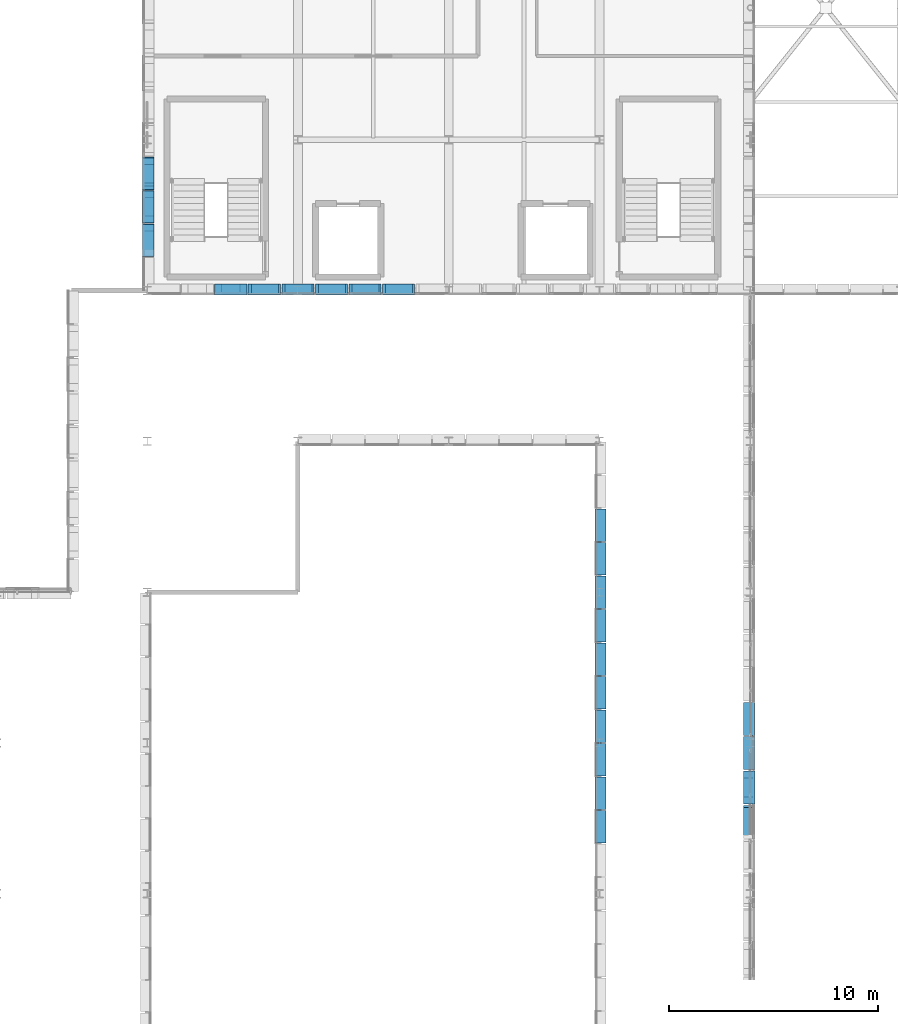
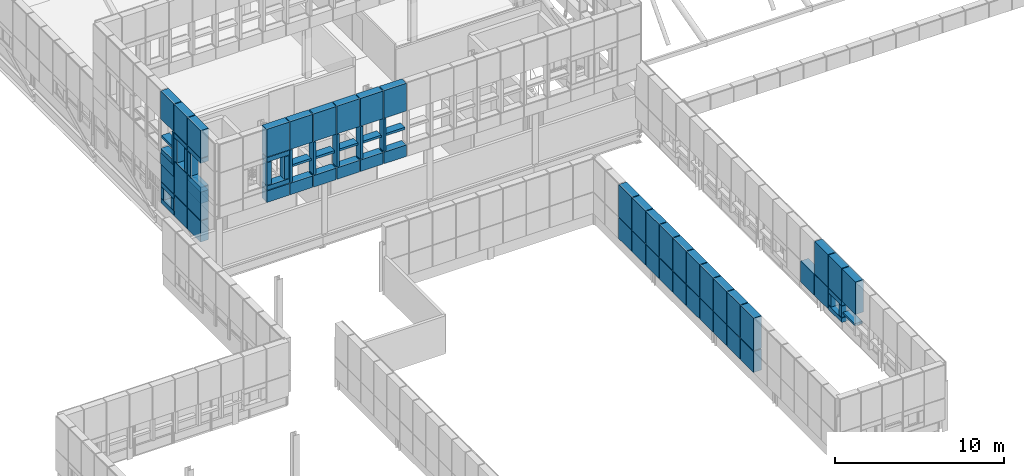
# One storey, part 66 of 96: 80 discrete accessories.
"""IFC4 building model written with IfcOpenShell, lengths in metres."""

from ifc_helpers import new_model, si_unit, direction, frame, origin, origin_2d, place, context, subcontext, project, spatial, rectangle, extrude, material, type_object, element, save


model = new_model("IFC4")

# Units and contexts
model_context = context("Model", 3, precision=1e-05, world=origin(), true_north=direction((0.0, 1.0)))
body_context = subcontext(model_context, "Body", "Model", "MODEL_VIEW")
ifc_project = project(units=[si_unit("LENGTHUNIT", "METRE"), si_unit("AREAUNIT", "SQUARE_METRE"), si_unit("VOLUMEUNIT", "CUBIC_METRE"), si_unit("PLANEANGLEUNIT", "RADIAN"), si_unit("MASSUNIT", "GRAM", prefix="KILO")], contexts=[model_context])

# Site, building, storey
site_placement = place(None, origin())
site = spatial("IfcSite", under=ifc_project, at=site_placement, CompositionType="ELEMENT")
building_placement = place(site_placement, origin())
building = spatial("IfcBuilding", under=site, at=building_placement, Name="Yarey Park Central Fire Station", CompositionType="ELEMENT")
storey_placement = place(building_placement, frame((0.0, 0.0, 14.39990234375)))
storey = spatial("IfcBuildingStorey", under=building, at=storey_placement, Name="L04", CompositionType="ELEMENT", Elevation=14.39990234375)

# Discrete accessories
ifc_material = material(Name="Stainless Steel AISI 316L", Category="steel")
discrete_accessory_type = type_object("IfcDiscreteAccessoryType", Name="ENV_BRK_SS1", PredefinedType="BRACKET", material=ifc_material)
discrete_accessory_1_placement = place(storey_placement, frame((57.550048828125, 32.236328125, 1.55517578125), z_axis=(0.0, 0.0, 1.0), x_axis=(1.0, 0.0, 0.0)))
element("IfcDiscreteAccessory", 1, at=discrete_accessory_1_placement, inside=storey, type_object=discrete_accessory_type, Name="BRK_PERF_L04_0357", PredefinedType="BRACKET", context=body_context, shape_type="SweptSolid", body=[
    extrude(rectangle(XDim=0.5400390625, YDim=1.37646484375, at=origin_2d()), origin(), (0.0, 0.0, 1.0), 0.159912109375),
])
discrete_accessory_2_placement = place(storey_placement, frame((57.550048828125, 32.236328125, 2.445068359375), z_axis=(0.0, 0.0, 1.0), x_axis=(1.0, 0.0, 0.0)))
element("IfcDiscreteAccessory", 2, at=discrete_accessory_2_placement, inside=storey, type_object=discrete_accessory_type, Name="BRK_PERF_L04_0358", PredefinedType="BRACKET", context=body_context, shape_type="SweptSolid", body=[
    extrude(rectangle(XDim=0.5400390625, YDim=1.576416015625, at=origin_2d()), origin(), (0.0, 0.0, 1.0), 2.35009765625),
])
for number, where, z_axis, x_axis, name in (
    (3, (57.550048828125, 33.872802734375, 0.8701171875), (0.0, 0.0, 1.0), (1.0, 0.0, 0.0), "BRK_PERF_L04_0365"),
    (4, (57.550048828125, 33.872802734375, 2.080078125), (0.0, 0.0, 1.0), (1.0, 0.0, 0.0), "BRK_PERF_L04_0366"),
):
    element("IfcDiscreteAccessory", number, at=place(storey_placement, frame(where, z_axis=z_axis, x_axis=x_axis)), inside=storey, type_object=discrete_accessory_type, Name=name, PredefinedType="BRACKET", context=body_context, shape_type="SweptSolid", body=[
        extrude(rectangle(XDim=0.5400390625, YDim=1.576416015625, at=origin_2d()), origin(), (0.0, 0.0, 1.0), 0.320068359375),
    ])
for number, where, z_axis, x_axis, name in (
    (5, (57.550048828125, 33.25439453125, 1.23486328125), (0.0, 0.0, 1.0), (1.0, 0.0, 0.0), "BRK_PERF_L04_0367"),
    (6, (57.550048828125, 34.490966796875, 1.23486328125), (0.0, 0.0, 1.0), (1.0, 0.0, 0.0), "BRK_PERF_L04_0368"),
):
    element("IfcDiscreteAccessory", number, at=place(storey_placement, frame(where, z_axis=z_axis, x_axis=x_axis)), inside=storey, type_object=discrete_accessory_type, Name=name, PredefinedType="BRACKET", context=body_context, shape_type="SweptSolid", body=[
        extrude(rectangle(XDim=0.5400390625, YDim=0.320068359375, at=origin_2d()), origin(), (0.0, 0.0, 1.0), 0.800048828125),
    ])
discrete_accessory_3_placement = place(storey_placement, frame((57.550048828125, 33.872802734375, 2.445068359375), z_axis=(0.0, 0.0, 1.0), x_axis=(1.0, 0.0, 0.0)))
element("IfcDiscreteAccessory", 7, at=discrete_accessory_3_placement, inside=storey, type_object=discrete_accessory_type, Name="BRK_PERF_L04_0369", PredefinedType="BRACKET", context=body_context, shape_type="SweptSolid", body=[
    extrude(rectangle(XDim=0.5400390625, YDim=1.576416015625, at=origin_2d()), origin(), (0.0, 0.0, 1.0), 2.35009765625),
])
discrete_accessory_4_placement = place(storey_placement, frame((57.550048828125, 35.509033203125, 0.875), z_axis=(0.0, 0.0, 1.0), x_axis=(1.0, 0.0, 0.0)))
element("IfcDiscreteAccessory", 8, at=discrete_accessory_4_placement, inside=storey, type_object=discrete_accessory_type, Name="BRK_PERF_L04_0373", PredefinedType="BRACKET", context=body_context, shape_type="SweptSolid", body=[
    extrude(rectangle(XDim=0.5400390625, YDim=1.576416015625, at=origin_2d()), origin(), (0.0, 0.0, 1.0), 1.52001953125),
])
discrete_accessory_5_placement = place(storey_placement, frame((57.550048828125, 35.509033203125, 2.445068359375), z_axis=(0.0, 0.0, 1.0), x_axis=(1.0, 0.0, 0.0)))
element("IfcDiscreteAccessory", 9, at=discrete_accessory_5_placement, inside=storey, type_object=discrete_accessory_type, Name="BRK_PERF_L04_0374", PredefinedType="BRACKET", context=body_context, shape_type="SweptSolid", body=[
    extrude(rectangle(XDim=0.5400390625, YDim=1.576416015625, at=origin_2d()), origin(), (0.0, 0.0, 1.0), 2.35009765625),
])
discrete_accessory_6_placement = place(storey_placement, frame((57.550048828125, 37.1455078125, 0.875), z_axis=(0.0, 0.0, 1.0), x_axis=(1.0, 0.0, 0.0)))
element("IfcDiscreteAccessory", 10, at=discrete_accessory_6_placement, inside=storey, type_object=discrete_accessory_type, Name="BRK_PERF_L04_0378", PredefinedType="BRACKET", context=body_context, shape_type="SweptSolid", body=[
    extrude(rectangle(XDim=0.5400390625, YDim=1.576416015625, at=origin_2d()), origin(), (0.0, 0.0, 1.0), 1.52001953125),
])
discrete_accessory_7_placement = place(storey_placement, frame((28.85009765625, 59.988525390625, 0.875), z_axis=(0.0, 0.0, 1.0), x_axis=(1.0, 0.0, 0.0)))
element("IfcDiscreteAccessory", 11, at=discrete_accessory_7_placement, inside=storey, type_object=discrete_accessory_type, Name="BRK_PERF_L04_0609", PredefinedType="BRACKET", context=body_context, shape_type="SweptSolid", body=[
    extrude(rectangle(XDim=0.5400390625, YDim=1.5322265625, at=origin_2d()), origin(), (0.0, 0.0, 1.0), 1.52001953125),
])
discrete_accessory_8_placement = place(storey_placement, frame((28.85009765625, 59.988525390625, 2.445068359375), z_axis=(0.0, 0.0, 1.0), x_axis=(1.0, 0.0, 0.0)))
element("IfcDiscreteAccessory", 12, at=discrete_accessory_8_placement, inside=storey, type_object=discrete_accessory_type, Name="BRK_PERF_L04_0610", PredefinedType="BRACKET", context=body_context, shape_type="SweptSolid", body=[
    extrude(rectangle(XDim=0.5400390625, YDim=1.5322265625, at=origin_2d()), origin(), (0.0, 0.0, 1.0), 2.35009765625),
])
discrete_accessory_9_placement = place(storey_placement, frame((28.85009765625, 61.580810546875, 0.875), z_axis=(0.0, 0.0, 1.0), x_axis=(1.0, 0.0, 0.0)))
element("IfcDiscreteAccessory", 13, at=discrete_accessory_9_placement, inside=storey, type_object=discrete_accessory_type, Name="BRK_PERF_L04_0614", PredefinedType="BRACKET", context=body_context, shape_type="SweptSolid", body=[
    extrude(rectangle(XDim=0.5400390625, YDim=1.5322265625, at=origin_2d()), origin(), (0.0, 0.0, 1.0), 1.52001953125),
])
discrete_accessory_10_placement = place(storey_placement, frame((28.85009765625, 61.580810546875, 2.445068359375), z_axis=(0.0, 0.0, 1.0), x_axis=(1.0, 0.0, 0.0)))
element("IfcDiscreteAccessory", 14, at=discrete_accessory_10_placement, inside=storey, type_object=discrete_accessory_type, Name="BRK_PERF_L04_0615", PredefinedType="BRACKET", context=body_context, shape_type="SweptSolid", body=[
    extrude(rectangle(XDim=0.5400390625, YDim=1.5322265625, at=origin_2d()), origin(), (0.0, 0.0, 1.0), 2.35009765625),
])
for number, where, z_axis, x_axis, name in (
    (15, (28.85009765625, 63.173095703125, 0.8701171875), (0.0, 0.0, 1.0), (1.0, 0.0, 0.0), "BRK_PERF_L04_0622"),
    (16, (28.85009765625, 63.173095703125, 2.080078125), (0.0, 0.0, 1.0), (1.0, 0.0, 0.0), "BRK_PERF_L04_0623"),
):
    element("IfcDiscreteAccessory", number, at=place(storey_placement, frame(where, z_axis=z_axis, x_axis=x_axis)), inside=storey, type_object=discrete_accessory_type, Name=name, PredefinedType="BRACKET", context=body_context, shape_type="SweptSolid", body=[
        extrude(rectangle(XDim=0.5400390625, YDim=1.5322265625, at=origin_2d()), origin(), (0.0, 0.0, 1.0), 0.320068359375),
    ])
for number, where, z_axis, x_axis, name in (
    (17, (28.85009765625, 62.576904296875, 1.23486328125), (0.0, 0.0, 1.0), (1.0, 0.0, 0.0), "BRK_PERF_L04_0624"),
    (18, (28.85009765625, 63.769287109375, 1.23486328125), (0.0, 0.0, 1.0), (1.0, 0.0, 0.0), "BRK_PERF_L04_0625"),
):
    element("IfcDiscreteAccessory", number, at=place(storey_placement, frame(where, z_axis=z_axis, x_axis=x_axis)), inside=storey, type_object=discrete_accessory_type, Name=name, PredefinedType="BRACKET", context=body_context, shape_type="SweptSolid", body=[
        extrude(rectangle(XDim=0.5400390625, YDim=0.320068359375, at=origin_2d()), origin(), (0.0, 0.0, 1.0), 0.800048828125),
    ])
discrete_accessory_11_placement = place(storey_placement, frame((28.85009765625, 63.173095703125, 2.445068359375), z_axis=(0.0, 0.0, 1.0), x_axis=(1.0, 0.0, 0.0)))
element("IfcDiscreteAccessory", 19, at=discrete_accessory_11_placement, inside=storey, type_object=discrete_accessory_type, Name="BRK_PERF_L04_0626", PredefinedType="BRACKET", context=body_context, shape_type="SweptSolid", body=[
    extrude(rectangle(XDim=0.5400390625, YDim=1.5322265625, at=origin_2d()), origin(), (0.0, 0.0, 1.0), 2.35009765625),
])
discrete_accessory_12_placement = place(storey_placement, frame((50.449951171875, 32.0, 0.875), z_axis=(0.0, 0.0, 1.0), x_axis=(1.0, 0.0, 0.0)))
element("IfcDiscreteAccessory", 20, at=discrete_accessory_12_placement, inside=storey, type_object=discrete_accessory_type, Name="BRK_PERF_L04_1020", PredefinedType="BRACKET", context=body_context, shape_type="SweptSolid", body=[
    extrude(rectangle(XDim=0.5400390625, YDim=1.5400390625, at=origin_2d()), origin(), (0.0, 0.0, 1.0), 1.52001953125),
])
discrete_accessory_13_placement = place(storey_placement, frame((50.449951171875, 32.0, 2.445068359375), z_axis=(0.0, 0.0, 1.0), x_axis=(1.0, 0.0, 0.0)))
element("IfcDiscreteAccessory", 21, at=discrete_accessory_13_placement, inside=storey, type_object=discrete_accessory_type, Name="BRK_PERF_L04_1021", PredefinedType="BRACKET", context=body_context, shape_type="SweptSolid", body=[
    extrude(rectangle(XDim=0.5400390625, YDim=1.5400390625, at=origin_2d()), origin(), (0.0, 0.0, 1.0), 2.35009765625),
])
discrete_accessory_14_placement = place(storey_placement, frame((50.449951171875, 33.60009765625, 0.875), z_axis=(0.0, 0.0, 1.0), x_axis=(1.0, 0.0, 0.0)))
element("IfcDiscreteAccessory", 22, at=discrete_accessory_14_placement, inside=storey, type_object=discrete_accessory_type, Name="BRK_PERF_L04_1025", PredefinedType="BRACKET", context=body_context, shape_type="SweptSolid", body=[
    extrude(rectangle(XDim=0.5400390625, YDim=1.5400390625, at=origin_2d()), origin(), (0.0, 0.0, 1.0), 1.52001953125),
])
discrete_accessory_15_placement = place(storey_placement, frame((50.449951171875, 33.60009765625, 2.445068359375), z_axis=(0.0, 0.0, 1.0), x_axis=(1.0, 0.0, 0.0)))
element("IfcDiscreteAccessory", 23, at=discrete_accessory_15_placement, inside=storey, type_object=discrete_accessory_type, Name="BRK_PERF_L04_1026", PredefinedType="BRACKET", context=body_context, shape_type="SweptSolid", body=[
    extrude(rectangle(XDim=0.5400390625, YDim=1.5400390625, at=origin_2d()), origin(), (0.0, 0.0, 1.0), 2.35009765625),
])
discrete_accessory_16_placement = place(storey_placement, frame((50.449951171875, 35.199951171875, 0.875), z_axis=(0.0, 0.0, 1.0), x_axis=(1.0, 0.0, 0.0)))
element("IfcDiscreteAccessory", 24, at=discrete_accessory_16_placement, inside=storey, type_object=discrete_accessory_type, Name="BRK_PERF_L04_1030", PredefinedType="BRACKET", context=body_context, shape_type="SweptSolid", body=[
    extrude(rectangle(XDim=0.5400390625, YDim=1.5400390625, at=origin_2d()), origin(), (0.0, 0.0, 1.0), 1.52001953125),
])
discrete_accessory_17_placement = place(storey_placement, frame((50.449951171875, 35.199951171875, 2.445068359375), z_axis=(0.0, 0.0, 1.0), x_axis=(1.0, 0.0, 0.0)))
element("IfcDiscreteAccessory", 25, at=discrete_accessory_17_placement, inside=storey, type_object=discrete_accessory_type, Name="BRK_PERF_L04_1031", PredefinedType="BRACKET", context=body_context, shape_type="SweptSolid", body=[
    extrude(rectangle(XDim=0.5400390625, YDim=1.5400390625, at=origin_2d()), origin(), (0.0, 0.0, 1.0), 2.35009765625),
])
discrete_accessory_18_placement = place(storey_placement, frame((50.449951171875, 36.800048828125, 0.875), z_axis=(0.0, 0.0, 1.0), x_axis=(1.0, 0.0, 0.0)))
element("IfcDiscreteAccessory", 26, at=discrete_accessory_18_placement, inside=storey, type_object=discrete_accessory_type, Name="BRK_PERF_L04_1035", PredefinedType="BRACKET", context=body_context, shape_type="SweptSolid", body=[
    extrude(rectangle(XDim=0.5400390625, YDim=1.5400390625, at=origin_2d()), origin(), (0.0, 0.0, 1.0), 1.52001953125),
])
discrete_accessory_19_placement = place(storey_placement, frame((50.449951171875, 36.800048828125, 2.445068359375), z_axis=(0.0, 0.0, 1.0), x_axis=(1.0, 0.0, 0.0)))
element("IfcDiscreteAccessory", 27, at=discrete_accessory_19_placement, inside=storey, type_object=discrete_accessory_type, Name="BRK_PERF_L04_1036", PredefinedType="BRACKET", context=body_context, shape_type="SweptSolid", body=[
    extrude(rectangle(XDim=0.5400390625, YDim=1.5400390625, at=origin_2d()), origin(), (0.0, 0.0, 1.0), 2.35009765625),
])
discrete_accessory_20_placement = place(storey_placement, frame((50.449951171875, 38.39990234375, 0.875), z_axis=(0.0, 0.0, 1.0), x_axis=(1.0, 0.0, 0.0)))
element("IfcDiscreteAccessory", 28, at=discrete_accessory_20_placement, inside=storey, type_object=discrete_accessory_type, Name="BRK_PERF_L04_1040", PredefinedType="BRACKET", context=body_context, shape_type="SweptSolid", body=[
    extrude(rectangle(XDim=0.5400390625, YDim=1.5400390625, at=origin_2d()), origin(), (0.0, 0.0, 1.0), 1.52001953125),
])
discrete_accessory_21_placement = place(storey_placement, frame((50.449951171875, 38.39990234375, 2.445068359375), z_axis=(0.0, 0.0, 1.0), x_axis=(1.0, 0.0, 0.0)))
element("IfcDiscreteAccessory", 29, at=discrete_accessory_21_placement, inside=storey, type_object=discrete_accessory_type, Name="BRK_PERF_L04_1041", PredefinedType="BRACKET", context=body_context, shape_type="SweptSolid", body=[
    extrude(rectangle(XDim=0.5400390625, YDim=1.5400390625, at=origin_2d()), origin(), (0.0, 0.0, 1.0), 2.35009765625),
])
discrete_accessory_22_placement = place(storey_placement, frame((50.449951171875, 40.0, 0.875), z_axis=(0.0, 0.0, 1.0), x_axis=(1.0, 0.0, 0.0)))
element("IfcDiscreteAccessory", 30, at=discrete_accessory_22_placement, inside=storey, type_object=discrete_accessory_type, Name="BRK_PERF_L04_1045", PredefinedType="BRACKET", context=body_context, shape_type="SweptSolid", body=[
    extrude(rectangle(XDim=0.5400390625, YDim=1.5400390625, at=origin_2d()), origin(), (0.0, 0.0, 1.0), 1.52001953125),
])
discrete_accessory_23_placement = place(storey_placement, frame((50.449951171875, 40.0, 2.445068359375), z_axis=(0.0, 0.0, 1.0), x_axis=(1.0, 0.0, 0.0)))
element("IfcDiscreteAccessory", 31, at=discrete_accessory_23_placement, inside=storey, type_object=discrete_accessory_type, Name="BRK_PERF_L04_1046", PredefinedType="BRACKET", context=body_context, shape_type="SweptSolid", body=[
    extrude(rectangle(XDim=0.5400390625, YDim=1.5400390625, at=origin_2d()), origin(), (0.0, 0.0, 1.0), 2.35009765625),
])
discrete_accessory_24_placement = place(storey_placement, frame((50.449951171875, 41.60009765625, 0.875), z_axis=(0.0, 0.0, 1.0), x_axis=(1.0, 0.0, 0.0)))
element("IfcDiscreteAccessory", 32, at=discrete_accessory_24_placement, inside=storey, type_object=discrete_accessory_type, Name="BRK_PERF_L04_1050", PredefinedType="BRACKET", context=body_context, shape_type="SweptSolid", body=[
    extrude(rectangle(XDim=0.5400390625, YDim=1.5400390625, at=origin_2d()), origin(), (0.0, 0.0, 1.0), 1.52001953125),
])
discrete_accessory_25_placement = place(storey_placement, frame((50.449951171875, 41.60009765625, 2.445068359375), z_axis=(0.0, 0.0, 1.0), x_axis=(1.0, 0.0, 0.0)))
element("IfcDiscreteAccessory", 33, at=discrete_accessory_25_placement, inside=storey, type_object=discrete_accessory_type, Name="BRK_PERF_L04_1051", PredefinedType="BRACKET", context=body_context, shape_type="SweptSolid", body=[
    extrude(rectangle(XDim=0.5400390625, YDim=1.5400390625, at=origin_2d()), origin(), (0.0, 0.0, 1.0), 2.35009765625),
])
discrete_accessory_26_placement = place(storey_placement, frame((50.449951171875, 43.199951171875, 0.875), z_axis=(0.0, 0.0, 1.0), x_axis=(1.0, 0.0, 0.0)))
element("IfcDiscreteAccessory", 34, at=discrete_accessory_26_placement, inside=storey, type_object=discrete_accessory_type, Name="BRK_PERF_L04_1055", PredefinedType="BRACKET", context=body_context, shape_type="SweptSolid", body=[
    extrude(rectangle(XDim=0.5400390625, YDim=1.5400390625, at=origin_2d()), origin(), (0.0, 0.0, 1.0), 1.52001953125),
])
discrete_accessory_27_placement = place(storey_placement, frame((50.449951171875, 43.199951171875, 2.445068359375), z_axis=(0.0, 0.0, 1.0), x_axis=(1.0, 0.0, 0.0)))
element("IfcDiscreteAccessory", 35, at=discrete_accessory_27_placement, inside=storey, type_object=discrete_accessory_type, Name="BRK_PERF_L04_1056", PredefinedType="BRACKET", context=body_context, shape_type="SweptSolid", body=[
    extrude(rectangle(XDim=0.5400390625, YDim=1.5400390625, at=origin_2d()), origin(), (0.0, 0.0, 1.0), 2.35009765625),
])
discrete_accessory_28_placement = place(storey_placement, frame((50.449951171875, 44.800048828125, 0.875), z_axis=(0.0, 0.0, 1.0), x_axis=(1.0, 0.0, 0.0)))
element("IfcDiscreteAccessory", 36, at=discrete_accessory_28_placement, inside=storey, type_object=discrete_accessory_type, Name="BRK_PERF_L04_1060", PredefinedType="BRACKET", context=body_context, shape_type="SweptSolid", body=[
    extrude(rectangle(XDim=0.5400390625, YDim=1.5400390625, at=origin_2d()), origin(), (0.0, 0.0, 1.0), 1.52001953125),
])
discrete_accessory_29_placement = place(storey_placement, frame((50.449951171875, 44.800048828125, 2.445068359375), z_axis=(0.0, 0.0, 1.0), x_axis=(1.0, 0.0, 0.0)))
element("IfcDiscreteAccessory", 37, at=discrete_accessory_29_placement, inside=storey, type_object=discrete_accessory_type, Name="BRK_PERF_L04_1061", PredefinedType="BRACKET", context=body_context, shape_type="SweptSolid", body=[
    extrude(rectangle(XDim=0.5400390625, YDim=1.5400390625, at=origin_2d()), origin(), (0.0, 0.0, 1.0), 2.35009765625),
])
discrete_accessory_30_placement = place(storey_placement, frame((50.449951171875, 46.39990234375, 0.875), z_axis=(0.0, 0.0, 1.0), x_axis=(1.0, 0.0, 0.0)))
element("IfcDiscreteAccessory", 38, at=discrete_accessory_30_placement, inside=storey, type_object=discrete_accessory_type, Name="BRK_PERF_L04_1065", PredefinedType="BRACKET", context=body_context, shape_type="SweptSolid", body=[
    extrude(rectangle(XDim=0.5400390625, YDim=1.5400390625, at=origin_2d()), origin(), (0.0, 0.0, 1.0), 1.52001953125),
])
discrete_accessory_31_placement = place(storey_placement, frame((50.449951171875, 46.39990234375, 2.445068359375), z_axis=(0.0, 0.0, 1.0), x_axis=(1.0, 0.0, 0.0)))
element("IfcDiscreteAccessory", 39, at=discrete_accessory_31_placement, inside=storey, type_object=discrete_accessory_type, Name="BRK_PERF_L04_1066", PredefinedType="BRACKET", context=body_context, shape_type="SweptSolid", body=[
    extrude(rectangle(XDim=0.5400390625, YDim=1.5400390625, at=origin_2d()), origin(), (0.0, 0.0, 1.0), 2.35009765625),
])
discrete_accessory_32_placement = place(storey_placement, frame((32.800048828125, 57.64990234375, 3.64501953125), z_axis=(0.0, 0.0, 1.0), x_axis=(1.0, 0.0, 0.0)))
element("IfcDiscreteAccessory", 40, at=discrete_accessory_32_placement, inside=storey, type_object=discrete_accessory_type, Name="BRK_PERF_L04_1131", PredefinedType="BRACKET", context=body_context, shape_type="SweptSolid", body=[
    extrude(rectangle(XDim=1.5400390625, YDim=0.5400390625, at=origin_2d()), origin(), (0.0, 0.0, 1.0), 0.830078125),
])
for number, where, z_axis, x_axis, name in (
    (41, (32.800048828125, 57.64990234375, 4.52001953125), (0.0, 0.0, 1.0), (1.0, 0.0, 0.0), "BRK_PERF_L04_1132"),
    (42, (32.800048828125, 57.64990234375, 6.56005859375), (0.0, 0.0, 1.0), (1.0, 0.0, 0.0), "BRK_PERF_L04_1133"),
):
    element("IfcDiscreteAccessory", number, at=place(storey_placement, frame(where, z_axis=z_axis, x_axis=x_axis)), inside=storey, type_object=discrete_accessory_type, Name=name, PredefinedType="BRACKET", context=body_context, shape_type="SweptSolid", body=[
        extrude(rectangle(XDim=1.5400390625, YDim=0.5400390625, at=origin_2d()), origin(), (0.0, 0.0, 1.0), 0.320068359375),
    ])
for number, where, z_axis, x_axis, name in (
    (43, (32.199951171875, 57.64990234375, 4.88525390625), (0.0, 0.0, 1.0), (1.0, 0.0, 0.0), "BRK_PERF_L04_1134"),
    (44, (33.39990234375, 57.64990234375, 4.88525390625), (0.0, 0.0, 1.0), (1.0, 0.0, 0.0), "BRK_PERF_L04_1135"),
):
    element("IfcDiscreteAccessory", number, at=place(storey_placement, frame(where, z_axis=z_axis, x_axis=x_axis)), inside=storey, type_object=discrete_accessory_type, Name=name, PredefinedType="BRACKET", context=body_context, shape_type="SweptSolid", body=[
        extrude(rectangle(XDim=0.320068359375, YDim=0.5400390625, at=origin_2d()), origin(), (0.0, 0.0, 1.0), 1.6298828125),
    ])
discrete_accessory_33_placement = place(storey_placement, frame((32.800048828125, 57.64990234375, 6.925048828125), z_axis=(0.0, 0.0, 1.0), x_axis=(1.0, 0.0, 0.0)))
element("IfcDiscreteAccessory", 45, at=discrete_accessory_33_placement, inside=storey, type_object=discrete_accessory_type, Name="BRK_PERF_L04_1136", PredefinedType="BRACKET", context=body_context, shape_type="SweptSolid", body=[
    extrude(rectangle(XDim=1.5400390625, YDim=0.5400390625, at=origin_2d()), origin(), (0.0, 0.0, 1.0), 2.0),
])
discrete_accessory_34_placement = place(storey_placement, frame((34.39990234375, 57.64990234375, 3.64501953125), z_axis=(0.0, 0.0, 1.0), x_axis=(1.0, 0.0, 0.0)))
element("IfcDiscreteAccessory", 46, at=discrete_accessory_34_placement, inside=storey, type_object=discrete_accessory_type, Name="BRK_PERF_L04_1137", PredefinedType="BRACKET", context=body_context, shape_type="SweptSolid", body=[
    extrude(rectangle(XDim=1.5400390625, YDim=0.5400390625, at=origin_2d()), origin(), (0.0, 0.0, 1.0), 0.830078125),
])
discrete_accessory_35_placement = place(storey_placement, frame((33.7099609375, 57.64990234375, 4.525146484375), z_axis=(0.0, 0.0, 1.0), x_axis=(1.0, 0.0, 0.0)))
element("IfcDiscreteAccessory", 47, at=discrete_accessory_35_placement, inside=storey, type_object=discrete_accessory_type, Name="BRK_PERF_L04_1138", PredefinedType="BRACKET", context=body_context, shape_type="SweptSolid", body=[
    extrude(rectangle(XDim=0.159912109375, YDim=0.5400390625, at=origin_2d()), origin(), (0.0, 0.0, 1.0), 2.35009765625),
])
discrete_accessory_36_placement = place(storey_placement, frame((34.39990234375, 57.64990234375, 5.6201171875), z_axis=(0.0, 0.0, 1.0), x_axis=(1.0, 0.0, 0.0)))
element("IfcDiscreteAccessory", 48, at=discrete_accessory_36_placement, inside=storey, type_object=discrete_accessory_type, Name="BRK_PERF_L04_1139", PredefinedType="BRACKET", context=body_context, shape_type="SweptSolid", body=[
    extrude(rectangle(XDim=1.340087890625, YDim=0.5400390625, at=origin_2d()), origin(), (0.0, 0.0, 1.0), 0.159912109375),
])
discrete_accessory_37_placement = place(storey_placement, frame((34.39990234375, 57.64990234375, 6.925048828125), z_axis=(0.0, 0.0, 1.0), x_axis=(1.0, 0.0, 0.0)))
element("IfcDiscreteAccessory", 49, at=discrete_accessory_37_placement, inside=storey, type_object=discrete_accessory_type, Name="BRK_PERF_L04_1140", PredefinedType="BRACKET", context=body_context, shape_type="SweptSolid", body=[
    extrude(rectangle(XDim=1.5400390625, YDim=0.5400390625, at=origin_2d()), origin(), (0.0, 0.0, 1.0), 2.0),
])
discrete_accessory_38_placement = place(storey_placement, frame((36.0, 57.64990234375, 3.64501953125), z_axis=(0.0, 0.0, 1.0), x_axis=(1.0, 0.0, 0.0)))
element("IfcDiscreteAccessory", 50, at=discrete_accessory_38_placement, inside=storey, type_object=discrete_accessory_type, Name="BRK_PERF_L04_1141", PredefinedType="BRACKET", context=body_context, shape_type="SweptSolid", body=[
    extrude(rectangle(XDim=1.5400390625, YDim=0.5400390625, at=origin_2d()), origin(), (0.0, 0.0, 1.0), 0.830078125),
])
discrete_accessory_39_placement = place(storey_placement, frame((35.31005859375, 57.64990234375, 4.525146484375), z_axis=(0.0, 0.0, 1.0), x_axis=(1.0, 0.0, 0.0)))
element("IfcDiscreteAccessory", 51, at=discrete_accessory_39_placement, inside=storey, type_object=discrete_accessory_type, Name="BRK_PERF_L04_1142", PredefinedType="BRACKET", context=body_context, shape_type="SweptSolid", body=[
    extrude(rectangle(XDim=0.159912109375, YDim=0.5400390625, at=origin_2d()), origin(), (0.0, 0.0, 1.0), 2.35009765625),
])
discrete_accessory_40_placement = place(storey_placement, frame((36.0, 57.64990234375, 5.6201171875), z_axis=(0.0, 0.0, 1.0), x_axis=(1.0, 0.0, 0.0)))
element("IfcDiscreteAccessory", 52, at=discrete_accessory_40_placement, inside=storey, type_object=discrete_accessory_type, Name="BRK_PERF_L04_1143", PredefinedType="BRACKET", context=body_context, shape_type="SweptSolid", body=[
    extrude(rectangle(XDim=1.340087890625, YDim=0.5400390625, at=origin_2d()), origin(), (0.0, 0.0, 1.0), 0.159912109375),
])
discrete_accessory_41_placement = place(storey_placement, frame((36.0, 57.64990234375, 6.925048828125), z_axis=(0.0, 0.0, 1.0), x_axis=(1.0, 0.0, 0.0)))
element("IfcDiscreteAccessory", 53, at=discrete_accessory_41_placement, inside=storey, type_object=discrete_accessory_type, Name="BRK_PERF_L04_1144", PredefinedType="BRACKET", context=body_context, shape_type="SweptSolid", body=[
    extrude(rectangle(XDim=1.5400390625, YDim=0.5400390625, at=origin_2d()), origin(), (0.0, 0.0, 1.0), 2.0),
])
discrete_accessory_42_placement = place(storey_placement, frame((37.60009765625, 57.64990234375, 3.64501953125), z_axis=(0.0, 0.0, 1.0), x_axis=(1.0, 0.0, 0.0)))
element("IfcDiscreteAccessory", 54, at=discrete_accessory_42_placement, inside=storey, type_object=discrete_accessory_type, Name="BRK_PERF_L04_1145", PredefinedType="BRACKET", context=body_context, shape_type="SweptSolid", body=[
    extrude(rectangle(XDim=1.5400390625, YDim=0.5400390625, at=origin_2d()), origin(), (0.0, 0.0, 1.0), 0.830078125),
])
discrete_accessory_43_placement = place(storey_placement, frame((36.909912109375, 57.64990234375, 4.525146484375), z_axis=(0.0, 0.0, 1.0), x_axis=(1.0, 0.0, 0.0)))
element("IfcDiscreteAccessory", 55, at=discrete_accessory_43_placement, inside=storey, type_object=discrete_accessory_type, Name="BRK_PERF_L04_1146", PredefinedType="BRACKET", context=body_context, shape_type="SweptSolid", body=[
    extrude(rectangle(XDim=0.159912109375, YDim=0.5400390625, at=origin_2d()), origin(), (0.0, 0.0, 1.0), 2.35009765625),
])
discrete_accessory_44_placement = place(storey_placement, frame((37.60009765625, 57.64990234375, 5.6201171875), z_axis=(0.0, 0.0, 1.0), x_axis=(1.0, 0.0, 0.0)))
element("IfcDiscreteAccessory", 56, at=discrete_accessory_44_placement, inside=storey, type_object=discrete_accessory_type, Name="BRK_PERF_L04_1147", PredefinedType="BRACKET", context=body_context, shape_type="SweptSolid", body=[
    extrude(rectangle(XDim=1.340087890625, YDim=0.5400390625, at=origin_2d()), origin(), (0.0, 0.0, 1.0), 0.159912109375),
])
discrete_accessory_45_placement = place(storey_placement, frame((37.60009765625, 57.64990234375, 6.925048828125), z_axis=(0.0, 0.0, 1.0), x_axis=(1.0, 0.0, 0.0)))
element("IfcDiscreteAccessory", 57, at=discrete_accessory_45_placement, inside=storey, type_object=discrete_accessory_type, Name="BRK_PERF_L04_1148", PredefinedType="BRACKET", context=body_context, shape_type="SweptSolid", body=[
    extrude(rectangle(XDim=1.5400390625, YDim=0.5400390625, at=origin_2d()), origin(), (0.0, 0.0, 1.0), 2.0),
])
discrete_accessory_46_placement = place(storey_placement, frame((39.199951171875, 57.64990234375, 3.64501953125), z_axis=(0.0, 0.0, 1.0), x_axis=(1.0, 0.0, 0.0)))
element("IfcDiscreteAccessory", 58, at=discrete_accessory_46_placement, inside=storey, type_object=discrete_accessory_type, Name="BRK_PERF_L04_1149", PredefinedType="BRACKET", context=body_context, shape_type="SweptSolid", body=[
    extrude(rectangle(XDim=1.5400390625, YDim=0.5400390625, at=origin_2d()), origin(), (0.0, 0.0, 1.0), 0.830078125),
])
discrete_accessory_47_placement = place(storey_placement, frame((38.510009765625, 57.64990234375, 4.525146484375), z_axis=(0.0, 0.0, 1.0), x_axis=(1.0, 0.0, 0.0)))
element("IfcDiscreteAccessory", 59, at=discrete_accessory_47_placement, inside=storey, type_object=discrete_accessory_type, Name="BRK_PERF_L04_1150", PredefinedType="BRACKET", context=body_context, shape_type="SweptSolid", body=[
    extrude(rectangle(XDim=0.159912109375, YDim=0.5400390625, at=origin_2d()), origin(), (0.0, 0.0, 1.0), 2.35009765625),
])
discrete_accessory_48_placement = place(storey_placement, frame((39.199951171875, 57.64990234375, 5.6201171875), z_axis=(0.0, 0.0, 1.0), x_axis=(1.0, 0.0, 0.0)))
element("IfcDiscreteAccessory", 60, at=discrete_accessory_48_placement, inside=storey, type_object=discrete_accessory_type, Name="BRK_PERF_L04_1151", PredefinedType="BRACKET", context=body_context, shape_type="SweptSolid", body=[
    extrude(rectangle(XDim=1.340087890625, YDim=0.5400390625, at=origin_2d()), origin(), (0.0, 0.0, 1.0), 0.159912109375),
])
discrete_accessory_49_placement = place(storey_placement, frame((39.199951171875, 57.64990234375, 6.925048828125), z_axis=(0.0, 0.0, 1.0), x_axis=(1.0, 0.0, 0.0)))
element("IfcDiscreteAccessory", 61, at=discrete_accessory_49_placement, inside=storey, type_object=discrete_accessory_type, Name="BRK_PERF_L04_1152", PredefinedType="BRACKET", context=body_context, shape_type="SweptSolid", body=[
    extrude(rectangle(XDim=1.5400390625, YDim=0.5400390625, at=origin_2d()), origin(), (0.0, 0.0, 1.0), 2.0),
])
discrete_accessory_50_placement = place(storey_placement, frame((40.800048828125, 57.64990234375, 3.64501953125), z_axis=(0.0, 0.0, 1.0), x_axis=(1.0, 0.0, 0.0)))
element("IfcDiscreteAccessory", 62, at=discrete_accessory_50_placement, inside=storey, type_object=discrete_accessory_type, Name="BRK_PERF_L04_1153", PredefinedType="BRACKET", context=body_context, shape_type="SweptSolid", body=[
    extrude(rectangle(XDim=1.5400390625, YDim=0.5400390625, at=origin_2d()), origin(), (0.0, 0.0, 1.0), 0.830078125),
])
discrete_accessory_51_placement = place(storey_placement, frame((40.110107421875, 57.64990234375, 4.525146484375), z_axis=(0.0, 0.0, 1.0), x_axis=(1.0, 0.0, 0.0)))
element("IfcDiscreteAccessory", 63, at=discrete_accessory_51_placement, inside=storey, type_object=discrete_accessory_type, Name="BRK_PERF_L04_1154", PredefinedType="BRACKET", context=body_context, shape_type="SweptSolid", body=[
    extrude(rectangle(XDim=0.159912109375, YDim=0.5400390625, at=origin_2d()), origin(), (0.0, 0.0, 1.0), 2.35009765625),
])
discrete_accessory_52_placement = place(storey_placement, frame((40.800048828125, 57.64990234375, 5.6201171875), z_axis=(0.0, 0.0, 1.0), x_axis=(1.0, 0.0, 0.0)))
element("IfcDiscreteAccessory", 64, at=discrete_accessory_52_placement, inside=storey, type_object=discrete_accessory_type, Name="BRK_PERF_L04_1155", PredefinedType="BRACKET", context=body_context, shape_type="SweptSolid", body=[
    extrude(rectangle(XDim=1.340087890625, YDim=0.5400390625, at=origin_2d()), origin(), (0.0, 0.0, 1.0), 0.159912109375),
])
discrete_accessory_53_placement = place(storey_placement, frame((40.800048828125, 57.64990234375, 6.925048828125), z_axis=(0.0, 0.0, 1.0), x_axis=(1.0, 0.0, 0.0)))
element("IfcDiscreteAccessory", 65, at=discrete_accessory_53_placement, inside=storey, type_object=discrete_accessory_type, Name="BRK_PERF_L04_1156", PredefinedType="BRACKET", context=body_context, shape_type="SweptSolid", body=[
    extrude(rectangle(XDim=1.5400390625, YDim=0.5400390625, at=origin_2d()), origin(), (0.0, 0.0, 1.0), 2.0),
])
discrete_accessory_54_placement = place(storey_placement, frame((28.85009765625, 60.0, 3.64501953125), z_axis=(0.0, 0.0, 1.0), x_axis=(1.0, 0.0, 0.0)))
element("IfcDiscreteAccessory", 66, at=discrete_accessory_54_placement, inside=storey, type_object=discrete_accessory_type, Name="BRK_PERF_L04_1281", PredefinedType="BRACKET", context=body_context, shape_type="SweptSolid", body=[
    extrude(rectangle(XDim=0.5400390625, YDim=1.5400390625, at=origin_2d()), origin(), (0.0, 0.0, 1.0), 0.830078125),
])
for number, where, z_axis, x_axis, name in (
    (67, (28.85009765625, 60.0, 4.52001953125), (0.0, 0.0, 1.0), (1.0, 0.0, 0.0), "BRK_PERF_L04_1282"),
    (68, (28.85009765625, 60.0, 6.56005859375), (0.0, 0.0, 1.0), (1.0, 0.0, 0.0), "BRK_PERF_L04_1283"),
):
    element("IfcDiscreteAccessory", number, at=place(storey_placement, frame(where, z_axis=z_axis, x_axis=x_axis)), inside=storey, type_object=discrete_accessory_type, Name=name, PredefinedType="BRACKET", context=body_context, shape_type="SweptSolid", body=[
        extrude(rectangle(XDim=0.5400390625, YDim=1.5400390625, at=origin_2d()), origin(), (0.0, 0.0, 1.0), 0.320068359375),
    ])
discrete_accessory_55_placement = place(storey_placement, frame((28.85009765625, 60.60009765625, 4.88525390625), z_axis=(0.0, 0.0, 1.0), x_axis=(1.0, 0.0, 0.0)))
element("IfcDiscreteAccessory", 69, at=discrete_accessory_55_placement, inside=storey, type_object=discrete_accessory_type, Name="BRK_PERF_L04_1285", PredefinedType="BRACKET", context=body_context, shape_type="SweptSolid", body=[
    extrude(rectangle(XDim=0.5400390625, YDim=0.320068359375, at=origin_2d()), origin(), (0.0, 0.0, 1.0), 1.6298828125),
])
discrete_accessory_56_placement = place(storey_placement, frame((28.85009765625, 60.0, 6.925048828125), z_axis=(0.0, 0.0, 1.0), x_axis=(1.0, 0.0, 0.0)))
element("IfcDiscreteAccessory", 70, at=discrete_accessory_56_placement, inside=storey, type_object=discrete_accessory_type, Name="BRK_PERF_L04_1286", PredefinedType="BRACKET", context=body_context, shape_type="SweptSolid", body=[
    extrude(rectangle(XDim=0.5400390625, YDim=1.5400390625, at=origin_2d()), origin(), (0.0, 0.0, 1.0), 2.0),
])
discrete_accessory_57_placement = place(storey_placement, frame((28.85009765625, 61.60009765625, 3.64501953125), z_axis=(0.0, 0.0, 1.0), x_axis=(1.0, 0.0, 0.0)))
element("IfcDiscreteAccessory", 71, at=discrete_accessory_57_placement, inside=storey, type_object=discrete_accessory_type, Name="BRK_PERF_L04_1287", PredefinedType="BRACKET", context=body_context, shape_type="SweptSolid", body=[
    extrude(rectangle(XDim=0.5400390625, YDim=1.5400390625, at=origin_2d()), origin(), (0.0, 0.0, 1.0), 0.830078125),
])
for number, where, z_axis, x_axis, name in (
    (72, (28.85009765625, 61.60009765625, 4.52001953125), (0.0, 0.0, 1.0), (1.0, 0.0, 0.0), "BRK_PERF_L04_1288"),
    (73, (28.85009765625, 61.60009765625, 6.56005859375), (0.0, 0.0, 1.0), (1.0, 0.0, 0.0), "BRK_PERF_L04_1289"),
):
    element("IfcDiscreteAccessory", number, at=place(storey_placement, frame(where, z_axis=z_axis, x_axis=x_axis)), inside=storey, type_object=discrete_accessory_type, Name=name, PredefinedType="BRACKET", context=body_context, shape_type="SweptSolid", body=[
        extrude(rectangle(XDim=0.5400390625, YDim=1.5400390625, at=origin_2d()), origin(), (0.0, 0.0, 1.0), 0.320068359375),
    ])
for number, where, z_axis, x_axis, name in (
    (74, (28.85009765625, 61.0, 4.88525390625), (0.0, 0.0, 1.0), (1.0, 0.0, 0.0), "BRK_PERF_L04_1290"),
    (75, (28.85009765625, 62.199951171875, 4.88525390625), (0.0, 0.0, 1.0), (1.0, 0.0, 0.0), "BRK_PERF_L04_1291"),
):
    element("IfcDiscreteAccessory", number, at=place(storey_placement, frame(where, z_axis=z_axis, x_axis=x_axis)), inside=storey, type_object=discrete_accessory_type, Name=name, PredefinedType="BRACKET", context=body_context, shape_type="SweptSolid", body=[
        extrude(rectangle(XDim=0.5400390625, YDim=0.320068359375, at=origin_2d()), origin(), (0.0, 0.0, 1.0), 1.6298828125),
    ])
discrete_accessory_58_placement = place(storey_placement, frame((28.85009765625, 61.60009765625, 6.925048828125), z_axis=(0.0, 0.0, 1.0), x_axis=(1.0, 0.0, 0.0)))
element("IfcDiscreteAccessory", 76, at=discrete_accessory_58_placement, inside=storey, type_object=discrete_accessory_type, Name="BRK_PERF_L04_1292", PredefinedType="BRACKET", context=body_context, shape_type="SweptSolid", body=[
    extrude(rectangle(XDim=0.5400390625, YDim=1.5400390625, at=origin_2d()), origin(), (0.0, 0.0, 1.0), 2.0),
])
discrete_accessory_59_placement = place(storey_placement, frame((28.85009765625, 63.199951171875, 3.64501953125), z_axis=(0.0, 0.0, 1.0), x_axis=(1.0, 0.0, 0.0)))
element("IfcDiscreteAccessory", 77, at=discrete_accessory_59_placement, inside=storey, type_object=discrete_accessory_type, Name="BRK_PERF_L04_1293", PredefinedType="BRACKET", context=body_context, shape_type="SweptSolid", body=[
    extrude(rectangle(XDim=0.5400390625, YDim=1.5400390625, at=origin_2d()), origin(), (0.0, 0.0, 1.0), 0.830078125),
])
discrete_accessory_60_placement = place(storey_placement, frame((28.85009765625, 62.510009765625, 4.525146484375), z_axis=(0.0, 0.0, 1.0), x_axis=(1.0, 0.0, 0.0)))
element("IfcDiscreteAccessory", 78, at=discrete_accessory_60_placement, inside=storey, type_object=discrete_accessory_type, Name="BRK_PERF_L04_1294", PredefinedType="BRACKET", context=body_context, shape_type="SweptSolid", body=[
    extrude(rectangle(XDim=0.5400390625, YDim=0.159912109375, at=origin_2d()), origin(), (0.0, 0.0, 1.0), 2.35009765625),
])
discrete_accessory_61_placement = place(storey_placement, frame((28.85009765625, 63.199951171875, 5.6201171875), z_axis=(0.0, 0.0, 1.0), x_axis=(1.0, 0.0, 0.0)))
element("IfcDiscreteAccessory", 79, at=discrete_accessory_61_placement, inside=storey, type_object=discrete_accessory_type, Name="BRK_PERF_L04_1295", PredefinedType="BRACKET", context=body_context, shape_type="SweptSolid", body=[
    extrude(rectangle(XDim=0.5400390625, YDim=1.340087890625, at=origin_2d()), origin(), (0.0, 0.0, 1.0), 0.159912109375),
])
discrete_accessory_62_placement = place(storey_placement, frame((28.85009765625, 63.199951171875, 6.925048828125), z_axis=(0.0, 0.0, 1.0), x_axis=(1.0, 0.0, 0.0)))
element("IfcDiscreteAccessory", 80, at=discrete_accessory_62_placement, inside=storey, type_object=discrete_accessory_type, Name="BRK_PERF_L04_1296", PredefinedType="BRACKET", context=body_context, shape_type="SweptSolid", body=[
    extrude(rectangle(XDim=0.5400390625, YDim=1.5400390625, at=origin_2d()), origin(), (0.0, 0.0, 1.0), 2.0),
])

save(model, "model.ifc")
